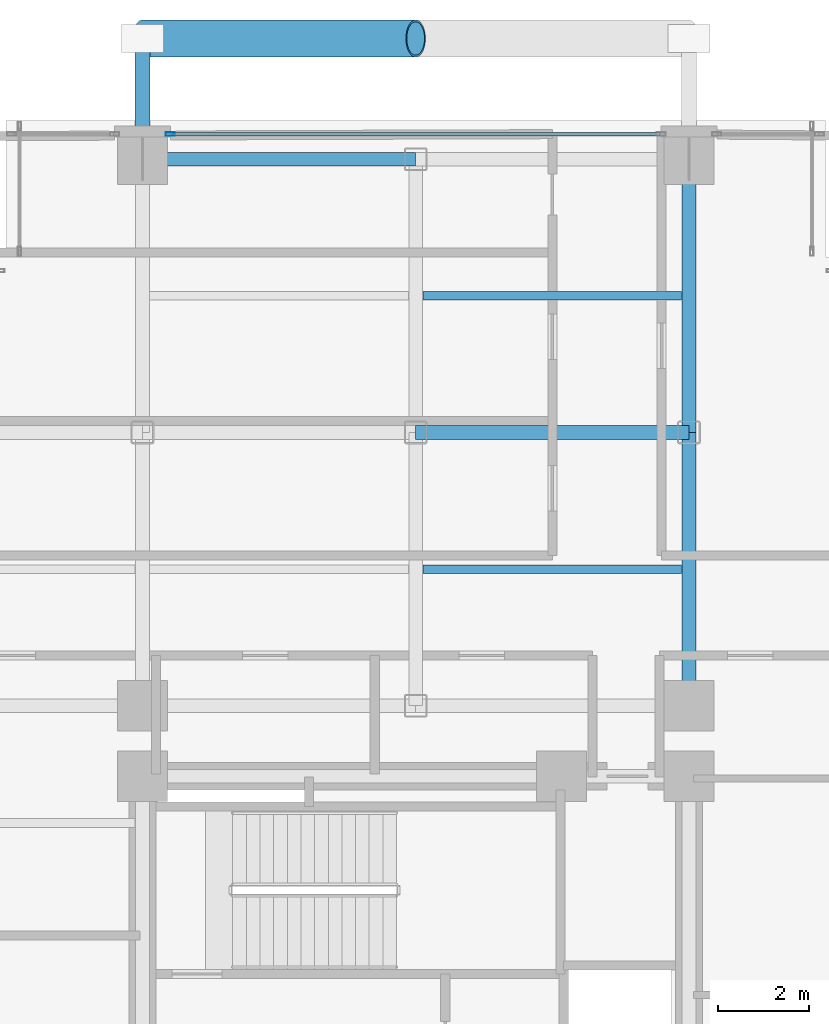
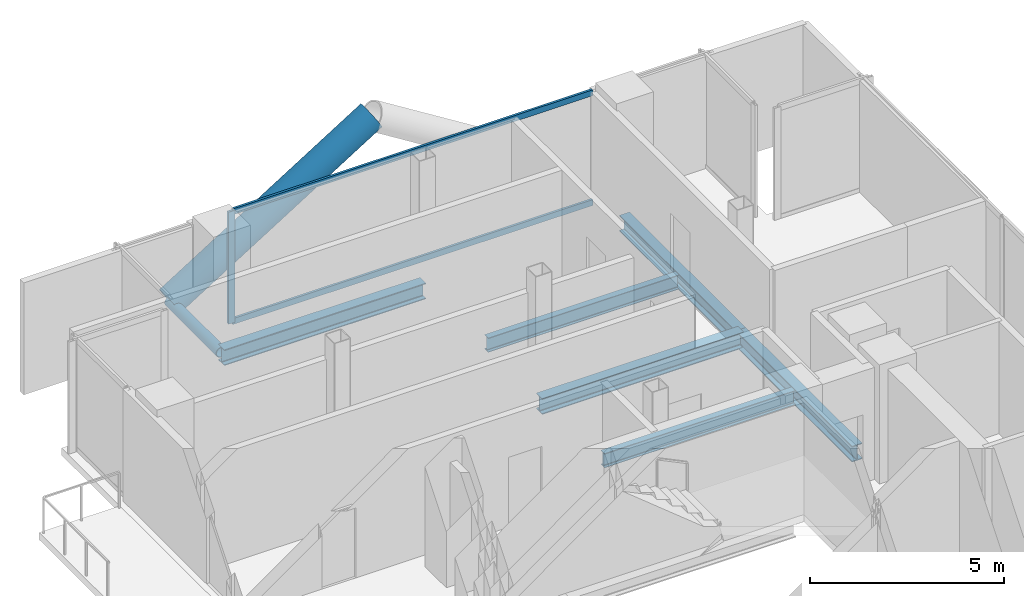
# One storey, part 16 of 28: 6 beams, 5 members, 1 element without a shape of its own.
"""IFC4 building model written with IfcOpenShell, lengths in metres."""

from ifc_helpers import new_model, si_unit, direction, frame, origin, origin_2d, place, context, subcontext, project, spatial, hollow_rectangle, hollow_circle, i_section, extrude, material, layer, layer_set, material_profile, profile_set, type_object, element, aggregate, save


model = new_model("IFC4")

# Units and contexts
model_context = context("Model", 3, precision=1e-05, world=origin(), true_north=direction((0.0, 1.0)))
body_context = subcontext(model_context, "Body", "Model", "MODEL_VIEW")
ifc_project = project(units=[si_unit("LENGTHUNIT", "METRE"), si_unit("AREAUNIT", "SQUARE_METRE"), si_unit("VOLUMEUNIT", "CUBIC_METRE"), si_unit("PLANEANGLEUNIT", "RADIAN"), si_unit("MASSUNIT", "GRAM", prefix="KILO"), si_unit("THERMODYNAMICTEMPERATUREUNIT", "KELVIN"), si_unit("POWERUNIT", "WATT")], contexts=[model_context])

# Site, building, storey
site_placement = place(None, origin())
site = spatial("IfcSite", under=ifc_project, at=site_placement, CompositionType="ELEMENT")
building_placement = place(site_placement, origin())
building = spatial("IfcBuilding", under=site, at=building_placement, Name="Svarakhadi Broadcast Tower", CompositionType="ELEMENT")
storey_placement = place(building_placement, frame((0.0, 0.0, 119.39990234375)))
storey = spatial("IfcBuildingStorey", under=building, at=storey_placement, Name="L28", CompositionType="ELEMENT", Elevation=119.39990234375)

# Beams
ifc_material_1 = material(Name="Steel S355J2 (IS 2062 E350C)", Category="steel")
ifc_material_profile_1 = material_profile(ifc_material_1, i_section(OverallWidth=0.18994140625, OverallDepth=0.449951171875, WebThickness=0.009521484375, FlangeThickness=0.0146484375, FilletRadius=0.02099609375, at=origin_2d()), Name="NPB 450x190x78")
ifc_profile_set_1 = profile_set([ifc_material_profile_1], Name="Steel S355J2 (IS 2062 E350C)")
beam_type_1 = type_object("IfcBeamType", Name="Beam_NPB450", PredefinedType="BEAM", material=ifc_profile_set_1)
for number, where, z_axis, x_axis, name in (
    (1, (12.159912109375, 32.14990234375, -0.449951171875), (1.0, 0.0, 0.0), (0.0, 1.0, 0.0), "L28 Secondary Composite Beam SB014"),
    (2, (12.159912109375, 38.14990234375, -0.449951171875), (1.0, 0.0, 0.0), (0.0, 1.0, 0.0), "L28 Secondary Composite Beam SB015"),
):
    element("IfcBeam", number, at=place(storey_placement, frame(where, z_axis=z_axis, x_axis=x_axis)), inside=storey, type_object=beam_type_1, Name=name, PredefinedType="BEAM", context=body_context, shape_type="SweptSolid", body=[
        extrude(i_section(OverallWidth=0.18994140625, OverallDepth=0.449951171875, WebThickness=0.009521484375, FlangeThickness=0.0146484375, FilletRadius=0.02099609375, at=origin_2d()), origin(), (0.0, 0.0, 1.0), 5.68017578125),
    ])

# Curtain wall, members
ifc_material_2 = material(Name="Anodised Bronze Aluminium AA 6063-T6", Category="aluminium")
ifc_layer = layer(ifc_material_2, 0.199951171875)
ifc_layer_set = layer_set([ifc_layer], Name="Anodised Bronze Aluminium AA 6063-T6")
curtain_wall_type = type_object("IfcCurtainWallType", Name="CW_Sys_03", PredefinedType="NOTDEFINED", material=ifc_layer_set)
curtain_wall_placement = place(storey_placement, origin())
curtain_wall = element("IfcCurtainWall", 3, at=curtain_wall_placement, inside=storey, type_object=curtain_wall_type, Name="L28 Unitised Facade Curtain Wall 06 Bay 2", PredefinedType="NOTDEFINED")
ifc_material_profile_2 = material_profile(ifc_material_2, hollow_rectangle(XDim=0.074951171875, YDim=0.199951171875, WallThickness=0.005615234375, at=origin_2d()), Name="ALU MULLION 200x75x6")
ifc_profile_set_2 = profile_set([ifc_material_profile_2], Name="Anodised Bronze Aluminium AA 6063-T6")
member_type_1 = type_object("IfcMemberType", Name="CW_Sys_03_Mul", PredefinedType="MULLION", material=ifc_profile_set_2)
member_1_placement = place(storey_placement, frame((6.607421875, 41.699951171875, 0.0), z_axis=(0.0, 0.0, 1.0), x_axis=(0.0, 1.0, 0.0)))
member_1 = element("IfcMember", 4, at=member_1_placement, type_object=member_type_1, Name="CW-03 mullion 1", PredefinedType="MULLION", context=body_context, shape_type="SweptSolid", body=[
    extrude(hollow_rectangle(XDim=0.074951171875, YDim=0.199951171875, WallThickness=0.005615234375, at=origin_2d()), origin(), (0.0, 0.0, 1.0), 3.525146484375),
])
ifc_material_profile_3 = material_profile(ifc_material_2, hollow_rectangle(XDim=0.070068359375, YDim=0.18505859375, WallThickness=0.0048828125, at=origin_2d()), Name="ALU TRANSOM 185x70x5")
ifc_profile_set_3 = profile_set([ifc_material_profile_3], Name="Anodised Bronze Aluminium AA 6063-T6")
member_type_2 = type_object("IfcMemberType", Name="CW_Sys_03_Trn", PredefinedType="USERDEFINED", material=ifc_profile_set_3)
member_2_placement = place(storey_placement, frame((6.64501953125, 41.699951171875, 0.03515625), z_axis=(1.0, 0.0, 0.0), x_axis=(0.0, 1.0, 0.0)))
member_2 = element("IfcMember", 5, at=member_2_placement, type_object=member_type_2, Name="CW-03 transom 1.1", ObjectType="TRANSOM", PredefinedType="USERDEFINED", context=body_context, shape_type="SweptSolid", body=[
    extrude(hollow_rectangle(XDim=0.070068359375, YDim=0.18505859375, WallThickness=0.0048828125, at=origin_2d()), origin(), (0.0, 0.0, 1.0), 10.7099609375),
])
member_3_placement = place(storey_placement, frame((6.64501953125, 41.699951171875, 3.489990234375), z_axis=(1.0, 0.0, 0.0), x_axis=(0.0, 1.0, 0.0)))
member_3 = element("IfcMember", 6, at=member_3_placement, type_object=member_type_2, Name="CW-03 transom 1.2", ObjectType="TRANSOM", PredefinedType="USERDEFINED", context=body_context, shape_type="SweptSolid", body=[
    extrude(hollow_rectangle(XDim=0.070068359375, YDim=0.18505859375, WallThickness=0.0048828125, at=origin_2d()), origin(), (0.0, 0.0, 1.0), 10.7099609375),
])
aggregate(curtain_wall, [member_1, member_2, member_3])

# Members
ifc_material_3 = material(Name="Steel S460ML (IS 2062 E450BR)", Category="steel")
ifc_material_profile_4 = material_profile(ifc_material_3, hollow_circle(Radius=0.406494140625, WallThickness=0.0400390625, at=origin_2d()), Name="CHS 813x40")
ifc_profile_set_4 = profile_set([ifc_material_profile_4], Name="Steel S460ML (IS 2062 E450BR)")
member_type_3 = type_object("IfcMemberType", Name="Exo_Brace_CHS813", PredefinedType="BRACE", material=ifc_profile_set_4)
member_4_placement = place(storey_placement, frame((6.0, 43.800048828125, -0.386962890625), z_axis=(0.847998304005, 0.0, 0.529998940003), x_axis=(0.0, 1.0, 0.0)))
element("IfcMember", 7, at=member_4_placement, inside=storey, type_object=member_type_3, Name="L28 Exposed Bronze Exoskeleton Diagonal N10", PredefinedType="BRACE", context=body_context, shape_type="SweptSolid", body=[
    extrude(hollow_circle(Radius=0.406494140625, WallThickness=0.0400390625, at=origin_2d()), origin(), (0.0, 0.0, 1.0), 7.075439453125),
])
ifc_material_profile_5 = material_profile(ifc_material_3, hollow_circle(Radius=0.161865234375, WallThickness=0.01611328125, at=origin_2d()), Name="CHS 323.9x16")
ifc_profile_set_5 = profile_set([ifc_material_profile_5], Name="Steel S460ML (IS 2062 E450BR)")
member_type_4 = type_object("IfcMemberType", Name="Exo_Radial_Strut_Z2", PredefinedType="STRUT", material=ifc_profile_set_5)
member_5_placement = place(storey_placement, frame((6.0, 43.800048828125, -0.386962890625), z_axis=(0.0, -1.0, 0.0), x_axis=(1.0, 0.0, 0.0)))
element("IfcMember", 8, at=member_5_placement, inside=storey, type_object=member_type_4, Name="L28 Exoskeleton Radial Tie Strut N10", PredefinedType="STRUT", context=body_context, shape_type="SweptSolid", body=[
    extrude(hollow_circle(Radius=0.161865234375, WallThickness=0.01611328125, at=origin_2d()), origin(), (0.0, 0.0, 1.0), 2.650146484375),
])

# Beams
ifc_material_profile_6 = material_profile(ifc_material_1, i_section(OverallWidth=0.300048828125, OverallDepth=0.5, WebThickness=0.014404296875, FlangeThickness=0.028076171875, FilletRadius=0.027099609375, at=origin_2d()), Name="WPB 500x300x187")
ifc_profile_set_6 = profile_set([ifc_material_profile_6], Name="Steel S355J2 (IS 2062 E350C)")
beam_type_2 = type_object("IfcBeamType", Name="Girder_WPB500", PredefinedType="USERDEFINED", material=ifc_profile_set_6)
for number, where, z_axis, x_axis, name in (
    (9, (12.0, 35.14990234375, -0.474853515625), (1.0, 0.0, 0.0), (0.0, 1.0, 0.0), "L28 Primary E-W Girder G037"),
    (10, (6.0, 41.14990234375, -0.474853515625), (1.0, 0.0, 0.0), (0.0, 1.0, 0.0), "L28 Primary E-W Girder G038"),
    (11, (18.0, 29.14990234375, -0.474853515625), (0.0, 1.0, 0.0), (-1.0, 0.0, 0.0), "L28 Primary N-S Girder G060"),
    (12, (18.0, 35.14990234375, -0.474853515625), (0.0, 1.0, 0.0), (-1.0, 0.0, 0.0), "L28 Primary N-S Girder G061"),
):
    element("IfcBeam", number, at=place(storey_placement, frame(where, z_axis=z_axis, x_axis=x_axis)), inside=storey, type_object=beam_type_2, Name=name, ObjectType="GIRDER", PredefinedType="USERDEFINED", context=body_context, shape_type="SweptSolid", body=[
        extrude(i_section(OverallWidth=0.300048828125, OverallDepth=0.5, WebThickness=0.014404296875, FlangeThickness=0.028076171875, FilletRadius=0.027099609375, at=origin_2d()), origin(), (0.0, 0.0, 1.0), 6.0),
    ])

save(model, "model.ifc")
